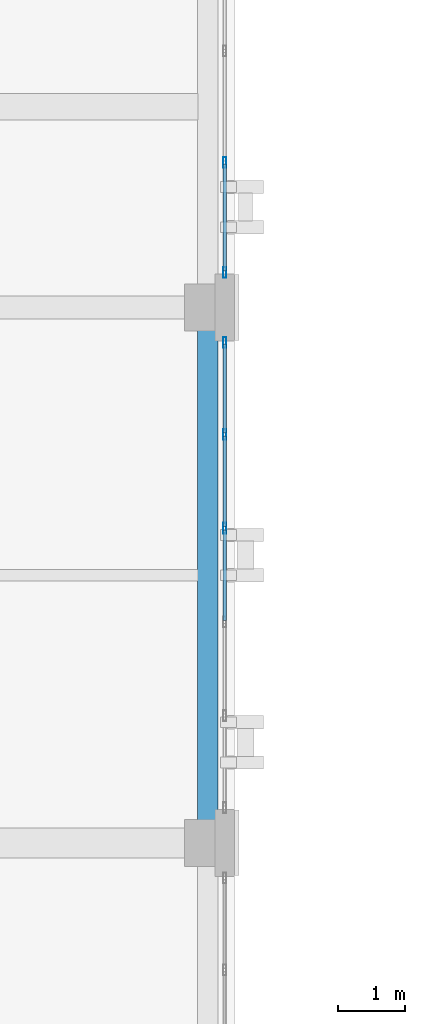
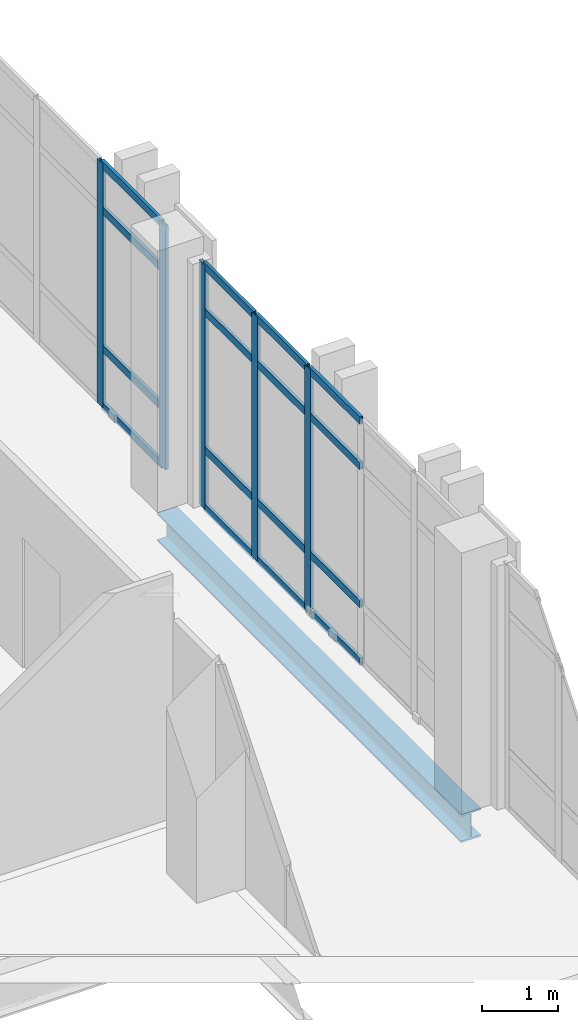
# One storey, part 71 of 165: 21 members, 1 beam, 2 elements without a shape of their own.
"""IFC4 building model written with IfcOpenShell, lengths in metres."""

from ifc_helpers import new_model, si_unit, direction, frame, origin, origin_2d, place, context, subcontext, project, spatial, hollow_rectangle, i_section, extrude, material, layer, layer_set, material_profile, profile_set, type_object, element, aggregate, save


model = new_model("IFC4")

# Units and contexts
model_context = context("Model", 3, precision=1e-05, world=origin(), true_north=direction((0.0, 1.0)))
body_context = subcontext(model_context, "Body", "Model", "MODEL_VIEW")
ifc_project = project(units=[si_unit("LENGTHUNIT", "METRE"), si_unit("AREAUNIT", "SQUARE_METRE"), si_unit("VOLUMEUNIT", "CUBIC_METRE"), si_unit("PLANEANGLEUNIT", "RADIAN"), si_unit("MASSUNIT", "GRAM", prefix="KILO")], contexts=[model_context])

# Site, building, storey
site_placement = place(None, origin())
site = spatial("IfcSite", under=ifc_project, at=site_placement, CompositionType="ELEMENT")
building_placement = place(site_placement, origin())
building = spatial("IfcBuilding", under=site, at=building_placement, Name="Qalavern Law Courts", CompositionType="ELEMENT")
storey_placement = place(building_placement, frame((0.0, 0.0, 14.39990234375)))
storey = spatial("IfcBuildingStorey", under=building, at=storey_placement, Name="L03", CompositionType="ELEMENT", Elevation=14.39990234375)

# Curtain wall, members
ifc_material_1 = material(Name="Anodised aluminium and insulated glazing", Category="aluminium")
ifc_layer = layer(ifc_material_1, 0.172119140625)
ifc_layer_set = layer_set([ifc_layer], Name="Anodised aluminium and insulated glazing")
curtain_wall_type = type_object("IfcCurtainWallType", Name="ENV-CW-COURT", PredefinedType="USERDEFINED", material=ifc_layer_set)
curtain_wall_1_placement = place(storey_placement, origin())
curtain_wall_1 = element("IfcCurtainWall", 1, at=curtain_wall_1_placement, inside=storey, type_object=curtain_wall_type, Name="V3 unitised curtain wall L03 east 4", ObjectType="UNITISED CURTAIN WALL", PredefinedType="USERDEFINED")
ifc_material_2 = material(Name="Anodised aluminium", Category="aluminium")
ifc_material_profile_1 = material_profile(ifc_material_2, hollow_rectangle(XDim=0.048095703125, YDim=0.159912109375, WallThickness=0.00390625, at=origin_2d()), Name="ALU MULLION 48x160")
ifc_profile_set_1 = profile_set([ifc_material_profile_1], Name="Anodised aluminium")
member_type_1 = type_object("IfcMemberType", Name="ENV-CWM-48x160", PredefinedType="MULLION", material=ifc_profile_set_1)
member_1_placement = place(storey_placement, frame((18.652587890625, 70.10009765625, 0.0), z_axis=(0.0, 0.0, 1.0), x_axis=(-1.0, 0.0, 0.0)))
member_1 = element("IfcMember", 2, at=member_1_placement, type_object=member_type_1, Name="CW-03 mullion 4", PredefinedType="MULLION", context=body_context, shape_type="SweptSolid", body=[
    extrude(hollow_rectangle(XDim=0.048095703125, YDim=0.159912109375, WallThickness=0.00390625, at=origin_2d()), origin(), (0.0, 0.0, 1.0), 3.920166015625),
])
member_2_placement = place(storey_placement, frame((18.652587890625, 71.5, 0.0), z_axis=(0.0, 0.0, 1.0), x_axis=(-1.0, 0.0, 0.0)))
member_2 = element("IfcMember", 3, at=member_2_placement, type_object=member_type_1, Name="CW-03 mullion 5", PredefinedType="MULLION", context=body_context, shape_type="SweptSolid", body=[
    extrude(hollow_rectangle(XDim=0.048095703125, YDim=0.159912109375, WallThickness=0.00390625, at=origin_2d()), origin(), (0.0, 0.0, 1.0), 3.920166015625),
])
member_3_placement = place(storey_placement, frame((18.652587890625, 72.8759765625, 0.0), z_axis=(0.0, 0.0, 1.0), x_axis=(-1.0, 0.0, 0.0)))
member_3 = element("IfcMember", 4, at=member_3_placement, type_object=member_type_1, Name="CW-03 mullion 6", PredefinedType="MULLION", context=body_context, shape_type="SweptSolid", body=[
    extrude(hollow_rectangle(XDim=0.048095703125, YDim=0.159912109375, WallThickness=0.00390625, at=origin_2d()), origin(), (0.0, 0.0, 1.0), 3.920166015625),
])

curtain_wall_2_placement = place(storey_placement, origin())
curtain_wall_2 = element("IfcCurtainWall", 5, at=curtain_wall_2_placement, inside=storey, type_object=curtain_wall_type, Name="V3 unitised curtain wall L03 east 5", ObjectType="UNITISED CURTAIN WALL", PredefinedType="USERDEFINED")
member_4_placement = place(storey_placement, frame((18.652587890625, 73.924072265625, 0.0), z_axis=(0.0, 0.0, 1.0), x_axis=(-1.0, 0.0, 0.0)))
member_4 = element("IfcMember", 6, at=member_4_placement, type_object=member_type_1, Name="CW-03 mullion 1", PredefinedType="MULLION", context=body_context, shape_type="SweptSolid", body=[
    extrude(hollow_rectangle(XDim=0.048095703125, YDim=0.159912109375, WallThickness=0.00390625, at=origin_2d()), origin(), (0.0, 0.0, 1.0), 3.920166015625),
])
member_5_placement = place(storey_placement, frame((18.652587890625, 75.566650390625, 0.0), z_axis=(0.0, 0.0, 1.0), x_axis=(-1.0, 0.0, 0.0)))
member_5 = element("IfcMember", 7, at=member_5_placement, type_object=member_type_1, Name="CW-03 mullion 2", PredefinedType="MULLION", context=body_context, shape_type="SweptSolid", body=[
    extrude(hollow_rectangle(XDim=0.048095703125, YDim=0.159912109375, WallThickness=0.00390625, at=origin_2d()), origin(), (0.0, 0.0, 1.0), 3.920166015625),
])

# Member
ifc_material_profile_2 = material_profile(ifc_material_2, hollow_rectangle(XDim=0.048095703125, YDim=0.1201171875, WallThickness=0.00390625, at=origin_2d()), Name="ALU TRANSOM 48x120")
ifc_profile_set_2 = profile_set([ifc_material_profile_2], Name="Anodised aluminium")
member_type_2 = type_object("IfcMemberType", Name="ENV-CWT-48x120", PredefinedType="USERDEFINED", material=ifc_profile_set_2)
member_6_placement = place(storey_placement, frame((18.652587890625, 68.72412109375, 0.024169921875), z_axis=(0.0, 1.0, 0.0), x_axis=(-1.0, 0.0, 0.0)))
member_6 = element("IfcMember", 8, at=member_6_placement, type_object=member_type_2, Name="CW-03 transom 3.1", ObjectType="TRANSOM", PredefinedType="USERDEFINED", context=body_context, shape_type="SweptSolid", body=[
    extrude(hollow_rectangle(XDim=0.048095703125, YDim=0.1201171875, WallThickness=0.00390625, at=origin_2d()), origin(), (0.0, 0.0, 1.0), 1.351806640625),
])

member_7_placement = place(storey_placement, frame((18.652587890625, 68.72412109375, 0.9501953125), z_axis=(0.0, 1.0, 0.0), x_axis=(-1.0, 0.0, 0.0)))
member_7 = element("IfcMember", 9, at=member_7_placement, type_object=member_type_2, Name="CW-03 transom 3.2", ObjectType="TRANSOM", PredefinedType="USERDEFINED", context=body_context, shape_type="SweptSolid", body=[
    extrude(hollow_rectangle(XDim=0.048095703125, YDim=0.1201171875, WallThickness=0.00390625, at=origin_2d()), origin(), (0.0, 0.0, 1.0), 1.351806640625),
])

member_8_placement = place(storey_placement, frame((18.652587890625, 68.72412109375, 3.170166015625), z_axis=(0.0, 1.0, 0.0), x_axis=(-1.0, 0.0, 0.0)))
member_8 = element("IfcMember", 10, at=member_8_placement, type_object=member_type_2, Name="CW-03 transom 3.3", ObjectType="TRANSOM", PredefinedType="USERDEFINED", context=body_context, shape_type="SweptSolid", body=[
    extrude(hollow_rectangle(XDim=0.048095703125, YDim=0.1201171875, WallThickness=0.00390625, at=origin_2d()), origin(), (0.0, 0.0, 1.0), 1.351806640625),
])

member_9_placement = place(storey_placement, frame((18.652587890625, 68.72412109375, 3.89599609375), z_axis=(0.0, 1.0, 0.0), x_axis=(-1.0, 0.0, 0.0)))
member_9 = element("IfcMember", 11, at=member_9_placement, type_object=member_type_2, Name="CW-03 transom 3.4", ObjectType="TRANSOM", PredefinedType="USERDEFINED", context=body_context, shape_type="SweptSolid", body=[
    extrude(hollow_rectangle(XDim=0.048095703125, YDim=0.1201171875, WallThickness=0.00390625, at=origin_2d()), origin(), (0.0, 0.0, 1.0), 1.351806640625),
])

member_10_placement = place(storey_placement, frame((18.652587890625, 70.1240234375, 0.024169921875), z_axis=(0.0, 1.0, 0.0), x_axis=(-1.0, 0.0, 0.0)))
member_10 = element("IfcMember", 12, at=member_10_placement, type_object=member_type_2, Name="CW-03 transom 4.1", ObjectType="TRANSOM", PredefinedType="USERDEFINED", context=body_context, shape_type="SweptSolid", body=[
    extrude(hollow_rectangle(XDim=0.048095703125, YDim=0.1201171875, WallThickness=0.00390625, at=origin_2d()), origin(), (0.0, 0.0, 1.0), 1.35205078125),
])

member_11_placement = place(storey_placement, frame((18.652587890625, 70.1240234375, 0.9501953125), z_axis=(0.0, 1.0, 0.0), x_axis=(-1.0, 0.0, 0.0)))
member_11 = element("IfcMember", 13, at=member_11_placement, type_object=member_type_2, Name="CW-03 transom 4.2", ObjectType="TRANSOM", PredefinedType="USERDEFINED", context=body_context, shape_type="SweptSolid", body=[
    extrude(hollow_rectangle(XDim=0.048095703125, YDim=0.1201171875, WallThickness=0.00390625, at=origin_2d()), origin(), (0.0, 0.0, 1.0), 1.35205078125),
])

member_12_placement = place(storey_placement, frame((18.652587890625, 70.1240234375, 3.170166015625), z_axis=(0.0, 1.0, 0.0), x_axis=(-1.0, 0.0, 0.0)))
member_12 = element("IfcMember", 14, at=member_12_placement, type_object=member_type_2, Name="CW-03 transom 4.3", ObjectType="TRANSOM", PredefinedType="USERDEFINED", context=body_context, shape_type="SweptSolid", body=[
    extrude(hollow_rectangle(XDim=0.048095703125, YDim=0.1201171875, WallThickness=0.00390625, at=origin_2d()), origin(), (0.0, 0.0, 1.0), 1.35205078125),
])

member_13_placement = place(storey_placement, frame((18.652587890625, 70.1240234375, 3.89599609375), z_axis=(0.0, 1.0, 0.0), x_axis=(-1.0, 0.0, 0.0)))
member_13 = element("IfcMember", 15, at=member_13_placement, type_object=member_type_2, Name="CW-03 transom 4.4", ObjectType="TRANSOM", PredefinedType="USERDEFINED", context=body_context, shape_type="SweptSolid", body=[
    extrude(hollow_rectangle(XDim=0.048095703125, YDim=0.1201171875, WallThickness=0.00390625, at=origin_2d()), origin(), (0.0, 0.0, 1.0), 1.35205078125),
])

member_14_placement = place(storey_placement, frame((18.652587890625, 71.52392578125, 0.024169921875), z_axis=(0.0, 1.0, 0.0), x_axis=(-1.0, 0.0, 0.0)))
member_14 = element("IfcMember", 16, at=member_14_placement, type_object=member_type_2, Name="CW-03 transom 5.1", ObjectType="TRANSOM", PredefinedType="USERDEFINED", context=body_context, shape_type="SweptSolid", body=[
    extrude(hollow_rectangle(XDim=0.048095703125, YDim=0.1201171875, WallThickness=0.00390625, at=origin_2d()), origin(), (0.0, 0.0, 1.0), 1.328125),
])

member_15_placement = place(storey_placement, frame((18.652587890625, 71.52392578125, 0.9501953125), z_axis=(0.0, 1.0, 0.0), x_axis=(-1.0, 0.0, 0.0)))
member_15 = element("IfcMember", 17, at=member_15_placement, type_object=member_type_2, Name="CW-03 transom 5.2", ObjectType="TRANSOM", PredefinedType="USERDEFINED", context=body_context, shape_type="SweptSolid", body=[
    extrude(hollow_rectangle(XDim=0.048095703125, YDim=0.1201171875, WallThickness=0.00390625, at=origin_2d()), origin(), (0.0, 0.0, 1.0), 1.328125),
])

member_16_placement = place(storey_placement, frame((18.652587890625, 71.52392578125, 3.170166015625), z_axis=(0.0, 1.0, 0.0), x_axis=(-1.0, 0.0, 0.0)))
member_16 = element("IfcMember", 18, at=member_16_placement, type_object=member_type_2, Name="CW-03 transom 5.3", ObjectType="TRANSOM", PredefinedType="USERDEFINED", context=body_context, shape_type="SweptSolid", body=[
    extrude(hollow_rectangle(XDim=0.048095703125, YDim=0.1201171875, WallThickness=0.00390625, at=origin_2d()), origin(), (0.0, 0.0, 1.0), 1.328125),
])

member_17_placement = place(storey_placement, frame((18.652587890625, 71.52392578125, 3.89599609375), z_axis=(0.0, 1.0, 0.0), x_axis=(-1.0, 0.0, 0.0)))
member_17 = element("IfcMember", 19, at=member_17_placement, type_object=member_type_2, Name="CW-03 transom 5.4", ObjectType="TRANSOM", PredefinedType="USERDEFINED", context=body_context, shape_type="SweptSolid", body=[
    extrude(hollow_rectangle(XDim=0.048095703125, YDim=0.1201171875, WallThickness=0.00390625, at=origin_2d()), origin(), (0.0, 0.0, 1.0), 1.328125),
])

aggregate(curtain_wall_1, [member_1, member_2, member_3, member_6, member_7, member_8, member_9, member_10, member_11, member_12, member_13, member_14, member_15, member_16, member_17])

member_18_placement = place(storey_placement, frame((18.652587890625, 73.947998046875, 0.024169921875), z_axis=(0.0, 1.0, 0.0), x_axis=(-1.0, 0.0, 0.0)))
member_18 = element("IfcMember", 20, at=member_18_placement, type_object=member_type_2, Name="CW-03 transom 1.1", ObjectType="TRANSOM", PredefinedType="USERDEFINED", context=body_context, shape_type="SweptSolid", body=[
    extrude(hollow_rectangle(XDim=0.048095703125, YDim=0.1201171875, WallThickness=0.00390625, at=origin_2d()), origin(), (0.0, 0.0, 1.0), 1.5947265625),
])

member_19_placement = place(storey_placement, frame((18.652587890625, 73.947998046875, 0.9501953125), z_axis=(0.0, 1.0, 0.0), x_axis=(-1.0, 0.0, 0.0)))
member_19 = element("IfcMember", 21, at=member_19_placement, type_object=member_type_2, Name="CW-03 transom 1.2", ObjectType="TRANSOM", PredefinedType="USERDEFINED", context=body_context, shape_type="SweptSolid", body=[
    extrude(hollow_rectangle(XDim=0.048095703125, YDim=0.1201171875, WallThickness=0.00390625, at=origin_2d()), origin(), (0.0, 0.0, 1.0), 1.5947265625),
])

member_20_placement = place(storey_placement, frame((18.652587890625, 73.947998046875, 3.170166015625), z_axis=(0.0, 1.0, 0.0), x_axis=(-1.0, 0.0, 0.0)))
member_20 = element("IfcMember", 22, at=member_20_placement, type_object=member_type_2, Name="CW-03 transom 1.3", ObjectType="TRANSOM", PredefinedType="USERDEFINED", context=body_context, shape_type="SweptSolid", body=[
    extrude(hollow_rectangle(XDim=0.048095703125, YDim=0.1201171875, WallThickness=0.00390625, at=origin_2d()), origin(), (0.0, 0.0, 1.0), 1.5947265625),
])

member_21_placement = place(storey_placement, frame((18.652587890625, 73.947998046875, 3.89599609375), z_axis=(0.0, 1.0, 0.0), x_axis=(-1.0, 0.0, 0.0)))
member_21 = element("IfcMember", 23, at=member_21_placement, type_object=member_type_2, Name="CW-03 transom 1.4", ObjectType="TRANSOM", PredefinedType="USERDEFINED", context=body_context, shape_type="SweptSolid", body=[
    extrude(hollow_rectangle(XDim=0.048095703125, YDim=0.1201171875, WallThickness=0.00390625, at=origin_2d()), origin(), (0.0, 0.0, 1.0), 1.5947265625),
])

aggregate(curtain_wall_2, [member_4, member_5, member_18, member_19, member_20, member_21])

# Beam
ifc_material_3 = material(Name="Steel S355", Category="steel")
ifc_material_profile_3 = material_profile(ifc_material_3, i_section(OverallWidth=0.300048828125, OverallDepth=0.449951171875, WebThickness=0.013916015625, FlangeThickness=0.02587890625, FilletRadius=0.027099609375, at=origin_2d()), Name="HEB 450")
ifc_profile_set_3 = profile_set([ifc_material_profile_3], Name="Steel S355")
beam_type = type_object("IfcBeamType", Name="STR-SP-HEB450", PredefinedType="SPANDREL", material=ifc_profile_set_3)
beam_placement = place(storey_placement, frame((18.39990234375, 65.39990234375, -0.510009765625), z_axis=(0.0, 1.0, 0.0), x_axis=(-1.0, 0.0, 0.0)))
element("IfcBeam", 24, at=beam_placement, inside=storey, type_object=beam_type, Name="V3 Y-beam 3-4 L03", PredefinedType="SPANDREL", context=body_context, shape_type="SweptSolid", body=[
    extrude(i_section(OverallWidth=0.300048828125, OverallDepth=0.449951171875, WebThickness=0.013916015625, FlangeThickness=0.02587890625, FilletRadius=0.027099609375, at=origin_2d()), origin(), (0.0, 0.0, 1.0), 8.0),
])

save(model, "model.ifc")
